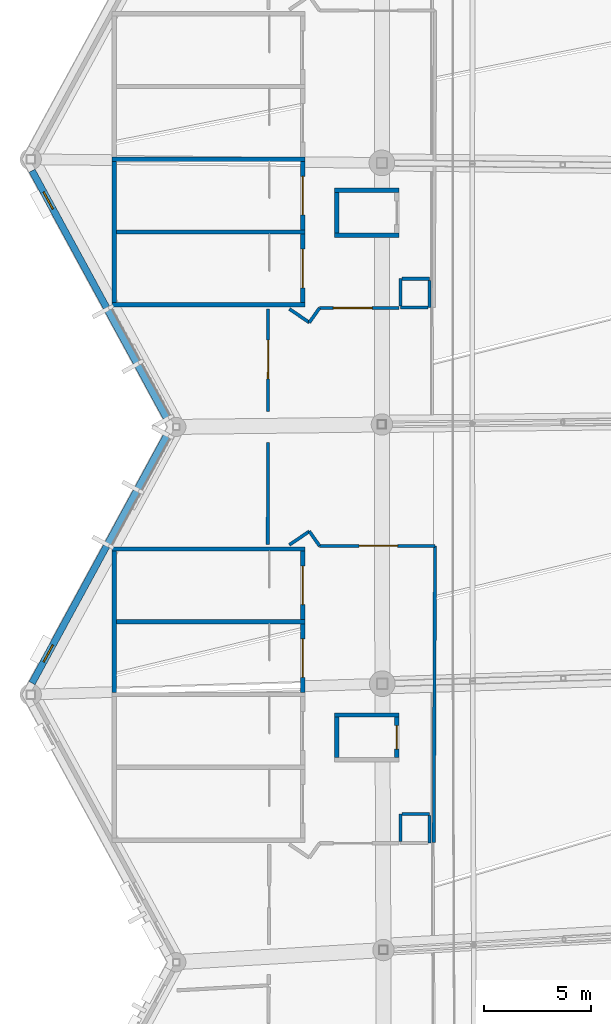
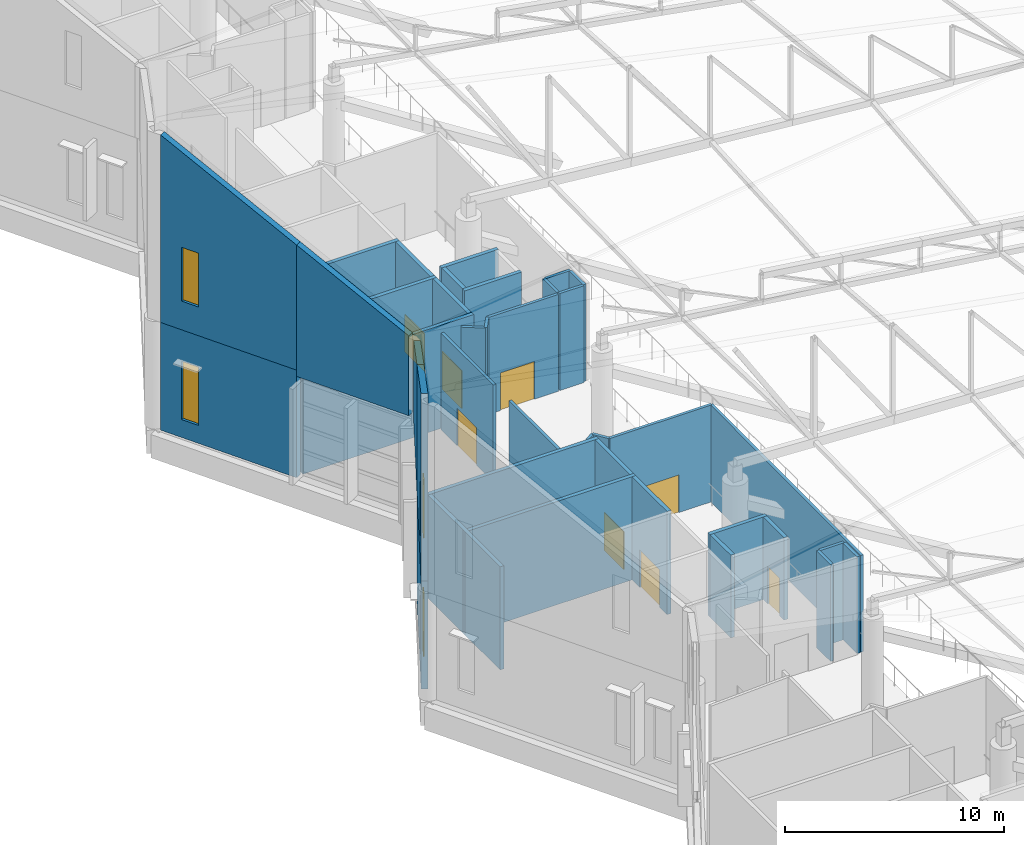
# One storey, part 251 of 344: 39 walls, 8 doors, 4 windows, 12 openings.
"""IFC4 building model written with IfcOpenShell, lengths in metres."""

from ifc_helpers import new_model, si_unit, direction, frame, frame_2d, origin, place, context, subcontext, project, spatial, polyline, rectangle, outline, extrude, material, layer, layer_set, type_object, element, fill, save


model = new_model("IFC4")

# Units and contexts
model_context = context("Model", 3, precision=1e-05, world=origin(), true_north=direction((0.0, 1.0)))
body_context = subcontext(model_context, "Body", "Model", "MODEL_VIEW")
ifc_project = project(units=[si_unit("LENGTHUNIT", "METRE"), si_unit("AREAUNIT", "SQUARE_METRE"), si_unit("VOLUMEUNIT", "CUBIC_METRE"), si_unit("PLANEANGLEUNIT", "RADIAN"), si_unit("MASSUNIT", "GRAM", prefix="KILO")], contexts=[model_context])

# Site, building, storey
site_placement = place(None, origin())
site = spatial("IfcSite", under=ifc_project, at=site_placement, CompositionType="ELEMENT")
building_placement = place(site_placement, origin())
building = spatial("IfcBuilding", under=site, at=building_placement, Name="Meseta Stadium", CompositionType="ELEMENT")
storey_placement = place(building_placement, frame((0.0, 0.0, 24.0)))
storey = spatial("IfcBuildingStorey", under=building, at=storey_placement, Name="L04", CompositionType="ELEMENT", Elevation=24.0)

# Walls
ifc_material_1 = material(Name="Concrete C40/50", Category="concrete")
ifc_layer_1 = layer(ifc_material_1, 0.199951171875)
ifc_layer_set_1 = layer_set([ifc_layer_1], Name="Core divider wall 200")
wall_type_1 = type_object("IfcWallType", Name="Core divider wall 200", PredefinedType="SHEAR", material=ifc_layer_set_1)
for number, where, z_axis, x_axis, name in (
    (1, (-97.60009765625, 2.85009765625, 0.0), (0.0, 0.0, 1.0), (1.0, 0.0, 0.0), "Core 17 L04 stair B divider wall"),
    (2, (-97.60009765625, -15.35009765625, 0.0), (0.0, 0.0, 1.0), (1.0, 0.0, 0.0), "Core 18 L04 stair A divider wall"),
):
    element("IfcWall", number, at=place(storey_placement, frame(where, z_axis=z_axis, x_axis=x_axis)), inside=storey, type_object=wall_type_1, Name=name, PredefinedType="SHEAR", context=body_context, shape_type="SweptSolid", body=[
        extrude(rectangle(XDim=9.0, YDim=0.199951171875, at=frame_2d((4.5, 0.0))), origin(), (0.0, 0.0, 1.0), 5.75),
    ])
ifc_material_2 = material(Name="Concrete C40/50", Category="concrete")
ifc_layer_2 = layer(ifc_material_2, 0.199951171875)
ifc_layer_set_2 = layer_set([ifc_layer_2], Name="Core shaft wall 200")
wall_type_2 = type_object("IfcWallType", Name="Core shaft wall 200", PredefinedType="SHEAR", material=ifc_layer_set_2)
for number, where, z_axis, x_axis, name in (
    (3, (-97.60009765625, 6.25, 0.0), (0.0, 0.0, 1.0), (1.0, 0.0, 0.0), "Core 17 L04 stair wall shared"),
    (4, (-97.60009765625, -0.550048828125, 0.0), (0.0, 0.0, 1.0), (1.0, 0.0, 0.0), "Core 17 L04 stair wall B-side"),
):
    element("IfcWall", number, at=place(storey_placement, frame(where, z_axis=z_axis, x_axis=x_axis)), inside=storey, type_object=wall_type_2, Name=name, PredefinedType="SHEAR", context=body_context, shape_type="SweptSolid", body=[
        extrude(rectangle(XDim=9.0, YDim=0.199951171875, at=frame_2d((4.5, 0.0))), origin(), (0.0, 0.0, 1.0), 5.75),
    ])
wall_1_placement = place(storey_placement, frame((-97.5, 6.14990234375, 0.0), z_axis=(0.0, 0.0, 1.0), x_axis=(0.0, -1.0, 0.0)))
element("IfcWall", 5, at=wall_1_placement, inside=storey, type_object=wall_type_2, Name="Core 17 L04 stair B outer end wall", PredefinedType="SHEAR", context=body_context, shape_type="SweptSolid", body=[
    extrude(rectangle(XDim=6.599853515625, YDim=0.199951171875, at=frame_2d((3.2998046875, 0.0))), origin(), (0.0, 0.0, 1.0), 5.75),
])

# Wall, opening, door
wall_2_placement = place(storey_placement, frame((-88.699951171875, 6.14990234375, 0.0), z_axis=(0.0, 0.0, 1.0), x_axis=(0.0, -1.0, 0.0)))
wall_2 = element("IfcWall", 6, at=wall_2_placement, inside=storey, type_object=wall_type_2, Name="Core 17 L04 stair B1 inner end wall", PredefinedType="SHEAR", context=body_context, shape_type="SweptSolid", body=[
    extrude(rectangle(XDim=3.199951171875, YDim=0.199951171875, at=frame_2d((1.60009765625, 0.0))), origin(), (0.0, 0.0, 1.0), 5.75),
])
opening_1_placement = place(wall_2_placement, frame((0.699951171875, 0.0, 0.0)))
opening_1 = element("IfcOpeningElement", 7, at=opening_1_placement, cuts=wall_2, Name="Opening D1507", PredefinedType="OPENING", context=body_context, shape_type="SweptSolid", body=[
    extrude(rectangle(XDim=1.800048828125, YDim=2.10009765625, at=frame_2d((0.89990234375, 1.050048828125))), frame((0.0, 0.10986328125, 0.0), z_axis=(0.0, -1.0, 0.0), x_axis=(1.0, 0.0, 0.0)), (0.0, 0.0, 1.0), 0.219970703125),
])
ifc_material_3 = material(Name="Steel", Category="steel")
door_type_1 = type_object("IfcDoorType", Name="Stair door 1800x2100", OperationType="DOUBLE_DOOR_SINGLE_SWING", PredefinedType="DOOR", material=ifc_material_3)
door_1_placement = place(opening_1_placement, origin())
door_1 = element("IfcDoor", 8, at=door_1_placement, inside=storey, type_object=door_type_1, Name="Stair B1 door 17 L04", OperationType="DOUBLE_DOOR_SINGLE_SWING", OverallHeight=2.10009765625, OverallWidth=1.800048828125, PredefinedType="DOOR", context=body_context, shape_type="SweptSolid", body=[
    extrude(rectangle(XDim=1.800048828125, YDim=2.10009765625, at=frame_2d((0.89990234375, 1.050048828125))), frame((0.0, 0.02490234375, 0.0), z_axis=(0.0, -1.0, 0.0), x_axis=(1.0, 0.0, 0.0)), (0.0, 0.0, 1.0), 0.050048828125),
])
fill(opening_1, door_1)

wall_3_placement = place(storey_placement, frame((-88.699951171875, 2.75, 0.0), z_axis=(0.0, 0.0, 1.0), x_axis=(0.0, -1.0, 0.0)))
wall_3 = element("IfcWall", 9, at=wall_3_placement, inside=storey, type_object=wall_type_2, Name="Core 17 L04 stair B2 inner end wall", PredefinedType="SHEAR", context=body_context, shape_type="SweptSolid", body=[
    extrude(rectangle(XDim=3.199951171875, YDim=0.199951171875, at=frame_2d((1.60009765625, 0.0))), origin(), (0.0, 0.0, 1.0), 5.75),
])
opening_2_placement = place(wall_3_placement, frame((0.699951171875, 0.0, 0.0)))
opening_2 = element("IfcOpeningElement", 10, at=opening_2_placement, cuts=wall_3, Name="Opening D1506", PredefinedType="OPENING", context=body_context, shape_type="SweptSolid", body=[
    extrude(rectangle(XDim=1.800048828125, YDim=2.10009765625, at=frame_2d((0.89990234375, 1.050048828125))), frame((0.0, 0.10986328125, 0.0), z_axis=(0.0, -1.0, 0.0), x_axis=(1.0, 0.0, 0.0)), (0.0, 0.0, 1.0), 0.219970703125),
])
door_2_placement = place(opening_2_placement, origin())
door_2 = element("IfcDoor", 11, at=door_2_placement, inside=storey, type_object=door_type_1, Name="Stair B2 door 17 L04", OperationType="DOUBLE_DOOR_SINGLE_SWING", OverallHeight=2.10009765625, OverallWidth=1.800048828125, PredefinedType="DOOR", context=body_context, shape_type="SweptSolid", body=[
    extrude(rectangle(XDim=1.800048828125, YDim=2.10009765625, at=frame_2d((0.89990234375, 1.050048828125))), frame((0.0, 0.02490234375, 0.0), z_axis=(0.0, -1.0, 0.0), x_axis=(1.0, 0.0, 0.0)), (0.0, 0.0, 1.0), 0.050048828125),
])
fill(opening_2, door_2)

# Walls
for number, where, z_axis, x_axis, name in (
    (12, (-87.199951171875, 4.800048828125, 0.0), (0.0, 0.0, 1.0), (1.0, 0.0, 0.0), "Core 17 L04 lift shaft wall left"),
    (13, (-87.199951171875, 2.699951171875, 0.0), (0.0, 0.0, 1.0), (1.0, 0.0, 0.0), "Core 17 L04 lift shaft wall right"),
):
    element("IfcWall", number, at=place(storey_placement, frame(where, z_axis=z_axis, x_axis=x_axis)), inside=storey, type_object=wall_type_2, Name=name, PredefinedType="SHEAR", context=body_context, shape_type="SweptSolid", body=[
        extrude(rectangle(XDim=3.0, YDim=0.199951171875, at=frame_2d((1.5, 0.0))), origin(), (0.0, 0.0, 1.0), 4.60009765625),
    ])
wall_4_placement = place(storey_placement, frame((-87.10009765625, 4.699951171875, 0.0), z_axis=(0.0, 0.0, 1.0), x_axis=(0.0, -1.0, 0.0)))
element("IfcWall", 14, at=wall_4_placement, inside=storey, type_object=wall_type_2, Name="Core 17 L04 lift shaft back wall", PredefinedType="SHEAR", context=body_context, shape_type="SweptSolid", body=[
    extrude(rectangle(XDim=1.89990234375, YDim=0.199951171875, at=frame_2d((0.949951171875, 0.0))), origin(), (0.0, 0.0, 1.0), 4.60009765625),
])
wall_5_placement = place(storey_placement, frame((-97.60009765625, -11.949951171875, 0.0), z_axis=(0.0, 0.0, 1.0), x_axis=(1.0, 0.0, 0.0)))
element("IfcWall", 15, at=wall_5_placement, inside=storey, type_object=wall_type_2, Name="Core 18 L04 stair wall A-side", PredefinedType="SHEAR", context=body_context, shape_type="SweptSolid", body=[
    extrude(rectangle(XDim=9.0, YDim=0.199951171875, at=frame_2d((4.5, 0.0))), origin(), (0.0, 0.0, 1.0), 5.75),
])
wall_6_placement = place(storey_placement, frame((-97.5, -12.050048828125, 0.0), z_axis=(0.0, 0.0, 1.0), x_axis=(0.0, -1.0, 0.0)))
element("IfcWall", 16, at=wall_6_placement, inside=storey, type_object=wall_type_2, Name="Core 18 L04 stair A outer end wall", PredefinedType="SHEAR", context=body_context, shape_type="SweptSolid", body=[
    extrude(rectangle(XDim=6.599853515625, YDim=0.199951171875, at=frame_2d((3.2998046875, 0.0))), origin(), (0.0, 0.0, 1.0), 5.75),
])

# Wall, opening, door
wall_7_placement = place(storey_placement, frame((-88.699951171875, -12.050048828125, 0.0), z_axis=(0.0, 0.0, 1.0), x_axis=(0.0, -1.0, 0.0)))
wall_7 = element("IfcWall", 17, at=wall_7_placement, inside=storey, type_object=wall_type_2, Name="Core 18 L04 stair A1 inner end wall", PredefinedType="SHEAR", context=body_context, shape_type="SweptSolid", body=[
    extrude(rectangle(XDim=3.199951171875, YDim=0.199951171875, at=frame_2d((1.60009765625, 0.0))), origin(), (0.0, 0.0, 1.0), 5.75),
])
opening_3_placement = place(wall_7_placement, frame((0.699951171875, 0.0, 0.0)))
opening_3 = element("IfcOpeningElement", 18, at=opening_3_placement, cuts=wall_7, Name="Opening D1505", PredefinedType="OPENING", context=body_context, shape_type="SweptSolid", body=[
    extrude(rectangle(XDim=1.800048828125, YDim=2.10009765625, at=frame_2d((0.89990234375, 1.050048828125))), frame((0.0, 0.10986328125, 0.0), z_axis=(0.0, -1.0, 0.0), x_axis=(1.0, 0.0, 0.0)), (0.0, 0.0, 1.0), 0.219970703125),
])
door_3_placement = place(opening_3_placement, origin())
door_3 = element("IfcDoor", 19, at=door_3_placement, inside=storey, type_object=door_type_1, Name="Stair A1 door 18 L04", OperationType="DOUBLE_DOOR_SINGLE_SWING", OverallHeight=2.10009765625, OverallWidth=1.800048828125, PredefinedType="DOOR", context=body_context, shape_type="SweptSolid", body=[
    extrude(rectangle(XDim=1.800048828125, YDim=2.10009765625, at=frame_2d((0.89990234375, 1.050048828125))), frame((0.0, 0.02490234375, 0.0), z_axis=(0.0, -1.0, 0.0), x_axis=(1.0, 0.0, 0.0)), (0.0, 0.0, 1.0), 0.050048828125),
])
fill(opening_3, door_3)

wall_8_placement = place(storey_placement, frame((-88.699951171875, -15.449951171875, 0.0), z_axis=(0.0, 0.0, 1.0), x_axis=(0.0, -1.0, 0.0)))
wall_8 = element("IfcWall", 20, at=wall_8_placement, inside=storey, type_object=wall_type_2, Name="Core 18 L04 stair A2 inner end wall", PredefinedType="SHEAR", context=body_context, shape_type="SweptSolid", body=[
    extrude(rectangle(XDim=3.199951171875, YDim=0.199951171875, at=frame_2d((1.60009765625, 0.0))), origin(), (0.0, 0.0, 1.0), 5.75),
])
opening_4_placement = place(wall_8_placement, frame((0.699951171875, 0.0, 0.0)))
opening_4 = element("IfcOpeningElement", 21, at=opening_4_placement, cuts=wall_8, Name="Opening D1504", PredefinedType="OPENING", context=body_context, shape_type="SweptSolid", body=[
    extrude(rectangle(XDim=1.800048828125, YDim=2.10009765625, at=frame_2d((0.89990234375, 1.050048828125))), frame((0.0, 0.10986328125, 0.0), z_axis=(0.0, -1.0, 0.0), x_axis=(1.0, 0.0, 0.0)), (0.0, 0.0, 1.0), 0.219970703125),
])
door_4_placement = place(opening_4_placement, origin())
door_4 = element("IfcDoor", 22, at=door_4_placement, inside=storey, type_object=door_type_1, Name="Stair A2 door 18 L04", OperationType="DOUBLE_DOOR_SINGLE_SWING", OverallHeight=2.10009765625, OverallWidth=1.800048828125, PredefinedType="DOOR", context=body_context, shape_type="SweptSolid", body=[
    extrude(rectangle(XDim=1.800048828125, YDim=2.10009765625, at=frame_2d((0.89990234375, 1.050048828125))), frame((0.0, 0.02490234375, 0.0), z_axis=(0.0, -1.0, 0.0), x_axis=(1.0, 0.0, 0.0)), (0.0, 0.0, 1.0), 0.050048828125),
])
fill(opening_4, door_4)

# Walls
wall_9_placement = place(storey_placement, frame((-87.199951171875, -19.699951171875, 0.0), z_axis=(0.0, 0.0, 1.0), x_axis=(1.0, 0.0, 0.0)))
element("IfcWall", 23, at=wall_9_placement, inside=storey, type_object=wall_type_2, Name="Core 18 L04 lift shaft wall left", PredefinedType="SHEAR", context=body_context, shape_type="SweptSolid", body=[
    extrude(rectangle(XDim=3.0, YDim=0.199951171875, at=frame_2d((1.5, 0.0))), origin(), (0.0, 0.0, 1.0), 4.60009765625),
])
wall_10_placement = place(storey_placement, frame((-87.10009765625, -19.800048828125, 0.0), z_axis=(0.0, 0.0, 1.0), x_axis=(0.0, -1.0, 0.0)))
element("IfcWall", 24, at=wall_10_placement, inside=storey, type_object=wall_type_2, Name="Core 18 L04 lift shaft back wall", PredefinedType="SHEAR", context=body_context, shape_type="SweptSolid", body=[
    extrude(rectangle(XDim=1.89990234375, YDim=0.199951171875, at=frame_2d((0.949951171875, 0.0))), origin(), (0.0, 0.0, 1.0), 4.60009765625),
])

# Wall, opening, door
wall_11_placement = place(storey_placement, frame((-84.300048828125, -19.800048828125, 0.0), z_axis=(0.0, 0.0, 1.0), x_axis=(0.0, -1.0, 0.0)))
wall_11 = element("IfcWall", 25, at=wall_11_placement, inside=storey, type_object=wall_type_2, Name="Core 18 L04 lift shaft front wall", PredefinedType="SHEAR", context=body_context, shape_type="SweptSolid", body=[
    extrude(rectangle(XDim=1.89990234375, YDim=0.199951171875, at=frame_2d((0.949951171875, 0.0))), origin(), (0.0, 0.0, 1.0), 4.60009765625),
])
opening_5_placement = place(wall_11_placement, frame((0.39990234375, 0.0, 0.0)))
opening_5 = element("IfcOpeningElement", 26, at=opening_5_placement, cuts=wall_11, Name="Opening LD102", PredefinedType="OPENING", context=body_context, shape_type="SweptSolid", body=[
    extrude(rectangle(XDim=1.10009765625, YDim=2.10009765625, at=frame_2d((0.550048828125, 1.050048828125))), frame((0.0, 0.10986328125, 0.0), z_axis=(0.0, -1.0, 0.0), x_axis=(1.0, 0.0, 0.0)), (0.0, 0.0, 1.0), 0.219970703125),
])
ifc_material_4 = material(Name="Steel", Category="steel")
door_type_2 = type_object("IfcDoorType", Name="Lift landing door 1100x2100", OperationType="SLIDING_TO_LEFT", PredefinedType="DOOR", material=ifc_material_4)
door_5_placement = place(opening_5_placement, origin())
door_5 = element("IfcDoor", 27, at=door_5_placement, inside=storey, type_object=door_type_2, Name="Lift landing door LD102", OperationType="SLIDING_TO_RIGHT", OverallHeight=2.10009765625, OverallWidth=1.10009765625, PredefinedType="DOOR", context=body_context, shape_type="SweptSolid", body=[
    extrude(rectangle(XDim=1.10009765625, YDim=2.10009765625, at=frame_2d((0.550048828125, 1.050048828125))), frame((0.0, 0.02490234375, 0.0), z_axis=(0.0, -1.0, 0.0), x_axis=(1.0, 0.0, 0.0)), (0.0, 0.0, 1.0), 0.050048828125),
])
fill(opening_5, door_5)

ifc_material_5 = material(Name="Masonry blockwork", Category="masonry")
ifc_layer_3 = layer(ifc_material_5, 0.14990234375)
ifc_layer_set_3 = layer_set([ifc_layer_3], Name="Partition 150")
wall_type_3 = type_object("IfcWallType", Name="Partition 150", PredefinedType="PARTITIONING", material=ifc_layer_set_3)
wall_12_placement = place(storey_placement, frame((-90.3115234375, -0.75, 0.0), z_axis=(0.0, 0.0, 1.0), x_axis=(-0.001276160268, -0.999999185707, 0.0)))
wall_12 = element("IfcWall", 28, at=wall_12_placement, inside=storey, type_object=wall_type_3, Name="Partition L04 L04-cell16-1-0", PredefinedType="PARTITIONING", context=body_context, shape_type="SweptSolid", body=[
    extrude(rectangle(XDim=4.78271484375, YDim=0.14990234375, at=frame_2d((2.391357421875, 0.0))), origin(), (0.0, 0.0, 1.0), 5.39990234375),
])
opening_6_placement = place(wall_12_placement, frame((1.449951171875, 0.0, 0.0)))
opening_6 = element("IfcOpeningElement", 29, at=opening_6_placement, cuts=wall_12, Name="Opening D1499", PredefinedType="OPENING", context=body_context, shape_type="SweptSolid", body=[
    extrude(rectangle(XDim=1.800048828125, YDim=2.10009765625, at=frame_2d((0.89990234375, 1.050048828125))), frame((0.0, 0.0849609375, 0.0), z_axis=(0.0, -1.0, 0.0), x_axis=(1.0, 0.0, 0.0)), (0.0, 0.0, 1.0), 0.169921875),
])
ifc_material_6 = material(Name="Timber", Category="wood")
door_type_3 = type_object("IfcDoorType", Name="Room double door 1800x2100", OperationType="DOUBLE_DOOR_SINGLE_SWING", PredefinedType="DOOR", material=ifc_material_6)
door_6_placement = place(opening_6_placement, origin())
door_6 = element("IfcDoor", 30, at=door_6_placement, inside=storey, type_object=door_type_3, Name="Room door L04 L04-cell16-1-0", OperationType="DOUBLE_DOOR_SINGLE_SWING", OverallHeight=2.10009765625, OverallWidth=1.800048828125, PredefinedType="DOOR", context=body_context, shape_type="SweptSolid", body=[
    extrude(rectangle(XDim=1.800048828125, YDim=2.10009765625, at=frame_2d((0.89990234375, 1.050048828125))), frame((0.0, 0.02490234375, 0.0), z_axis=(0.0, -1.0, 0.0), x_axis=(1.0, 0.0, 0.0)), (0.0, 0.0, 1.0), 0.050048828125),
])
fill(opening_6, door_6)

# Walls
wall_13_placement = place(storey_placement, frame((-90.319580078125, -6.96728515625, 0.0), z_axis=(0.0, 0.0, 1.0), x_axis=(-0.001225113935, -0.999999249548, 0.0)))
element("IfcWall", 31, at=wall_13_placement, inside=storey, type_object=wall_type_3, Name="Partition L04 L04-cell16-1-0", PredefinedType="PARTITIONING", context=body_context, shape_type="SweptSolid", body=[
    extrude(rectangle(XDim=4.78271484375, YDim=0.14990234375, at=frame_2d((2.391357421875, 0.0))), origin(), (0.0, 0.0, 1.0), 5.39990234375),
])
wall_14_placement = place(storey_placement, frame((-84.125, 0.675048828125, 0.0), z_axis=(0.0, 0.0, 1.0), x_axis=(0.0, -1.0, 0.0)))
element("IfcWall", 32, at=wall_14_placement, inside=storey, type_object=wall_type_3, Name="Pressurisation shaft wall L04 core 17", PredefinedType="PARTITIONING", context=body_context, shape_type="SweptSolid", body=[
    extrude(rectangle(XDim=1.275146484375, YDim=0.14990234375, at=frame_2d((0.6376953125, 0.0))), origin(), (0.0, 0.0, 1.0), 5.39990234375),
])
wall_15_placement = place(storey_placement, frame((-84.125, -0.675048828125, 0.0), z_axis=(0.0, 0.0, 1.0), x_axis=(1.0, 0.0, 0.0)))
element("IfcWall", 33, at=wall_15_placement, inside=storey, type_object=wall_type_3, Name="Pressurisation shaft wall L04 core 17", PredefinedType="PARTITIONING", context=body_context, shape_type="SweptSolid", body=[
    extrude(rectangle(XDim=1.27490234375, YDim=0.14990234375, at=frame_2d((0.637451171875, 0.0))), origin(), (0.0, 0.0, 1.0), 5.39990234375),
])
for number, where, z_axis, x_axis, name in (
    (34, (-82.77490234375, -0.675048828125, 0.0), (0.0, 0.0, 1.0), (0.0, 1.0, 0.0), "Pressurisation shaft wall L04 core 17"),
    (35, (-82.77490234375, 0.675048828125, 0.0), (0.0, 0.0, 1.0), (-1.0, 0.0, 0.0), "Pressurisation shaft wall L04 core 17"),
):
    element("IfcWall", number, at=place(storey_placement, frame(where, z_axis=z_axis, x_axis=x_axis)), inside=storey, type_object=wall_type_3, Name=name, PredefinedType="PARTITIONING", context=body_context, shape_type="SweptSolid", body=[
        extrude(rectangle(XDim=1.275146484375, YDim=0.14990234375, at=frame_2d((0.6376953125, 0.0))), origin(), (0.0, 0.0, 1.0), 5.39990234375),
    ])
wall_16_placement = place(storey_placement, frame((-89.319580078125, -0.739501953125, 0.0), z_axis=(0.0, 0.0, 1.0), x_axis=(0.827055308354, -0.562120553728, 0.0)))
element("IfcWall", 36, at=wall_16_placement, inside=storey, type_object=wall_type_3, Name="Stair vestibule wall L04 core 17", PredefinedType="PARTITIONING", context=body_context, shape_type="SweptSolid", body=[
    extrude(rectangle(XDim=1.1279296875, YDim=0.14990234375, at=frame_2d((0.56396484375, 0.0))), origin(), (0.0, 0.0, 1.0), 5.39990234375),
])
wall_17_placement = place(storey_placement, frame((-88.38671875, -1.37353515625, 0.0), z_axis=(0.0, 0.0, 1.0), x_axis=(0.575376756214, 0.817888493872, 0.0)))
element("IfcWall", 37, at=wall_17_placement, inside=storey, type_object=wall_type_3, Name="Stair vestibule wall L04 core 17", PredefinedType="PARTITIONING", context=body_context, shape_type="SweptSolid", body=[
    extrude(rectangle(XDim=0.82958984375, YDim=0.14990234375, at=frame_2d((0.414794921875, 0.0))), origin(), (0.0, 0.0, 1.0), 5.39990234375),
])

# Wall, opening, door
wall_18_placement = place(storey_placement, frame((-87.909423828125, -0.695068359375, 0.0), z_axis=(0.0, 0.0, 1.0), x_axis=(1.0, 0.0, 0.0)))
wall_18 = element("IfcWall", 38, at=wall_18_placement, inside=storey, type_object=wall_type_3, Name="Stair vestibule wall L04 core 17", PredefinedType="PARTITIONING", context=body_context, shape_type="SweptSolid", body=[
    extrude(rectangle(XDim=3.70361328125, YDim=0.14990234375, at=frame_2d((1.851806640625, 0.0))), origin(), (0.0, 0.0, 1.0), 5.39990234375),
])
opening_7_placement = place(wall_18_placement, frame((0.64990234375, 0.0, 0.0)))
opening_7 = element("IfcOpeningElement", 39, at=opening_7_placement, cuts=wall_18, Name="Opening D1525", PredefinedType="OPENING", context=body_context, shape_type="SweptSolid", body=[
    extrude(rectangle(XDim=1.800048828125, YDim=2.10009765625, at=frame_2d((0.89990234375, 1.050048828125))), frame((0.0, 0.0849609375, 0.0), z_axis=(0.0, -1.0, 0.0), x_axis=(1.0, 0.0, 0.0)), (0.0, 0.0, 1.0), 0.169921875),
])
ifc_material_7 = material(Name="Steel", Category="steel")
door_type_4 = type_object("IfcDoorType", Name="Fire double door 1800x2100 EI2 60", OperationType="DOUBLE_DOOR_SINGLE_SWING", PredefinedType="DOOR", material=ifc_material_7)
door_7_placement = place(opening_7_placement, origin())
door_7 = element("IfcDoor", 40, at=door_7_placement, inside=storey, type_object=door_type_4, Name="Stair vestibule door L04 core 17", OperationType="DOUBLE_DOOR_SINGLE_SWING", OverallHeight=2.10009765625, OverallWidth=1.800048828125, PredefinedType="DOOR", context=body_context, shape_type="SweptSolid", body=[
    extrude(rectangle(XDim=1.800048828125, YDim=2.10009765625, at=frame_2d((0.89990234375, 1.050048828125))), frame((0.0, 0.02490234375, 0.0), z_axis=(0.0, -1.0, 0.0), x_axis=(1.0, 0.0, 0.0)), (0.0, 0.0, 1.0), 0.050048828125),
])
fill(opening_7, door_7)

# Walls
for number, where, z_axis, x_axis, name in (
    (41, (-84.125, -24.324951171875, 0.0), (0.0, 0.0, 1.0), (0.0, -1.0, 0.0), "Pressurisation shaft wall L04 core 18"),
    (42, (-82.77490234375, -25.675048828125, 0.0), (0.0, 0.0, 1.0), (0.0, 1.0, 0.0), "Pressurisation shaft wall L04 core 18"),
    (43, (-82.77490234375, -24.324951171875, 0.0), (0.0, 0.0, 1.0), (-1.0, 0.0, 0.0), "Pressurisation shaft wall L04 core 18"),
):
    element("IfcWall", number, at=place(storey_placement, frame(where, z_axis=z_axis, x_axis=x_axis)), inside=storey, type_object=wall_type_3, Name=name, PredefinedType="PARTITIONING", context=body_context, shape_type="SweptSolid", body=[
        extrude(rectangle(XDim=1.275146484375, YDim=0.14990234375, at=frame_2d((0.6376953125, 0.0))), origin(), (0.0, 0.0, 1.0), 5.39990234375),
    ])
wall_19_placement = place(storey_placement, frame((-82.5751953125, -25.660400390625, 0.0), z_axis=(0.0, 0.0, 1.0), x_axis=(0.004334608277, 0.999990605541, 0.0)))
element("IfcWall", 44, at=wall_19_placement, inside=storey, type_object=wall_type_3, Name="Stair vestibule wall L04 core 18", PredefinedType="PARTITIONING", context=body_context, shape_type="SweptSolid", body=[
    extrude(rectangle(XDim=13.855712890625, YDim=0.14990234375, at=frame_2d((6.927734375, 0.0))), origin(), (0.0, 0.0, 1.0), 5.39990234375),
])

# Wall, opening, door
wall_20_placement = place(storey_placement, frame((-82.51513671875, -11.804931640625, 0.0), z_axis=(0.0, 0.0, 1.0), x_axis=(-1.0, 0.0, 0.0)))
wall_20 = element("IfcWall", 45, at=wall_20_placement, inside=storey, type_object=wall_type_3, Name="Stair vestibule wall L04 core 18", PredefinedType="PARTITIONING", context=body_context, shape_type="SweptSolid", body=[
    extrude(rectangle(XDim=5.39404296875, YDim=0.14990234375, at=frame_2d((2.697021484375, 0.0))), origin(), (0.0, 0.0, 1.0), 5.39990234375),
])
opening_8_placement = place(wall_20_placement, frame((1.75, 0.0, 0.0)))
opening_8 = element("IfcOpeningElement", 46, at=opening_8_placement, cuts=wall_20, Name="Opening D1532", PredefinedType="OPENING", context=body_context, shape_type="SweptSolid", body=[
    extrude(rectangle(XDim=1.800048828125, YDim=2.10009765625, at=frame_2d((0.89990234375, 1.050048828125))), frame((0.0, 0.0849609375, 0.0), z_axis=(0.0, -1.0, 0.0), x_axis=(1.0, 0.0, 0.0)), (0.0, 0.0, 1.0), 0.169921875),
])
door_8_placement = place(opening_8_placement, origin())
door_8 = element("IfcDoor", 47, at=door_8_placement, inside=storey, type_object=door_type_4, Name="Stair vestibule door L04 core 18", OperationType="DOUBLE_DOOR_SINGLE_SWING", OverallHeight=2.10009765625, OverallWidth=1.800048828125, PredefinedType="DOOR", context=body_context, shape_type="SweptSolid", body=[
    extrude(rectangle(XDim=1.800048828125, YDim=2.10009765625, at=frame_2d((0.89990234375, 1.050048828125))), frame((0.0, 0.02490234375, 0.0), z_axis=(0.0, -1.0, 0.0), x_axis=(1.0, 0.0, 0.0)), (0.0, 0.0, 1.0), 0.050048828125),
])
fill(opening_8, door_8)

# Walls
wall_21_placement = place(storey_placement, frame((-87.9091796875, -11.804931640625, 0.0), z_axis=(0.0, 0.0, 1.0), x_axis=(-0.575573582652, 0.81774999294, 0.0)))
element("IfcWall", 48, at=wall_21_placement, inside=storey, type_object=wall_type_3, Name="Stair vestibule wall L04 core 18", PredefinedType="PARTITIONING", context=body_context, shape_type="SweptSolid", body=[
    extrude(rectangle(XDim=0.82958984375, YDim=0.14990234375, at=frame_2d((0.414794921875, 0.0))), origin(), (0.0, 0.0, 1.0), 5.39990234375),
])
wall_22_placement = place(storey_placement, frame((-88.38671875, -11.12646484375, 0.0), z_axis=(0.0, 0.0, 1.0), x_axis=(-0.827055308354, -0.562120553728, 0.0)))
element("IfcWall", 49, at=wall_22_placement, inside=storey, type_object=wall_type_3, Name="Stair vestibule wall L04 core 18", PredefinedType="PARTITIONING", context=body_context, shape_type="SweptSolid", body=[
    extrude(rectangle(XDim=1.1279296875, YDim=0.14990234375, at=frame_2d((0.56396484375, 0.0))), origin(), (0.0, 0.0, 1.0), 5.39990234375),
])

# Wall, opening, window
ifc_material_8 = material(Name="White precast concrete C40/50", Category="concrete")
ifc_layer_4 = layer(ifc_material_8, 0.320068359375)
ifc_layer_set_4 = layer_set([ifc_layer_4], Name="Pleated fascia panel 320 raked")
wall_type_4 = type_object("IfcWallType", Name="Pleated fascia panel 320 raked", PredefinedType="SOLIDWALL", material=ifc_layer_set_4)
wall_23_placement = place(storey_placement, frame((-97.85791015625, -0.679931640625, 6.0), z_axis=(0.0, 0.0, 1.0), x_axis=(-0.477865020076, 0.878433277255, 0.0)))
wall_23 = element("IfcWall", 50, at=wall_23_placement, inside=storey, type_object=wall_type_4, Name="Pleated fascia panel L04 F32", PredefinedType="SOLIDWALL", context=body_context, shape_type="SweptSolid", body=[
    extrude(outline(polyline([(0.0, 0.0), (7.2802734375, 0.0), (7.2802734375, 10.451171875), (0.0, 6.97216796875), (0.0, 0.0)])), frame((0.0, 0.16015625, 0.0), z_axis=(0.0, -1.0, 0.0), x_axis=(1.0, 0.0, 0.0)), (0.0, 0.0, 1.0), 0.320068359375),
])
opening_9_placement = place(wall_23_placement, frame((5.250244140625, 0.0, 1.60009765625)))
opening_9 = element("IfcOpeningElement", 51, at=opening_9_placement, cuts=wall_23, Name="Opening W185", PredefinedType="OPENING", context=body_context, shape_type="SweptSolid", body=[
    extrude(rectangle(XDim=0.89990234375, YDim=3.0, at=frame_2d((0.449951171875, 1.5))), frame((0.0, 0.169921875, 0.0), z_axis=(0.0, -1.0, 0.0), x_axis=(1.0, 0.0, 0.0)), (0.0, 0.0, 1.0), 0.340087890625),
])
ifc_material_9 = material(Name="Aluminium", Category="aluminium")
window_type_1 = type_object("IfcWindowType", Name="Slot window 900x3000", PartitioningType="SINGLE_PANEL", PredefinedType="WINDOW", material=ifc_material_9)
window_1_placement = place(opening_9_placement, origin())
window_1 = element("IfcWindow", 52, at=window_1_placement, inside=storey, type_object=window_type_1, Name="Slot window L04 F32.6", OverallHeight=3.0, OverallWidth=0.89990234375, PartitioningType="SINGLE_PANEL", PredefinedType="WINDOW", context=body_context, shape_type="SweptSolid", body=[
    extrude(rectangle(XDim=0.89990234375, YDim=3.0, at=frame_2d((0.449951171875, 1.5))), frame((0.0, 0.030029296875, 0.0), z_axis=(0.0, -1.0, 0.0), x_axis=(1.0, 0.0, 0.0)), (0.0, 0.0, 1.0), 0.06005859375),
])
fill(opening_9, window_1)

# Wall
wall_24_placement = place(storey_placement, frame((-94.99072265625, -5.950439453125, 5.64990234375), z_axis=(0.0, 0.0, 1.0), x_axis=(-0.477871109227, 0.878429964747, 0.0)))
element("IfcWall", 53, at=wall_24_placement, inside=storey, type_object=wall_type_4, Name="Pleated facade panel above atrium F32", PredefinedType="SOLIDWALL", context=body_context, shape_type="SweptSolid", body=[
    extrude(outline(polyline([(0.0, 0.0), (6.0, 0.0), (6.0, 7.322265625), (0.0, 4.455078125), (0.0, 0.0)])), frame((0.0, 0.16015625, 0.0), z_axis=(0.0, -1.0, 0.0), x_axis=(1.0, 0.0, 0.0)), (0.0, 0.0, 1.0), 0.320068359375),
])

# Wall, opening, window
wall_25_placement = place(storey_placement, frame((-101.3369140625, -18.21533203125, 6.0), z_axis=(0.0, 0.0, 1.0), x_axis=(0.477865020076, 0.878433277255, 0.0)))
wall_25 = element("IfcWall", 54, at=wall_25_placement, inside=storey, type_object=wall_type_4, Name="Pleated fascia panel L04 F33", PredefinedType="SOLIDWALL", context=body_context, shape_type="SweptSolid", body=[
    extrude(outline(polyline([(0.0, 0.0), (7.2802734375, 0.0), (7.2802734375, 6.97216796875), (0.0, 10.451171875), (0.0, 0.0)])), frame((0.0, 0.16015625, 0.0), z_axis=(0.0, -1.0, 0.0), x_axis=(1.0, 0.0, 0.0)), (0.0, 0.0, 1.0), 0.320068359375),
])
opening_10_placement = place(wall_25_placement, frame((1.130126953125, 0.0, 1.60009765625)))
opening_10 = element("IfcOpeningElement", 55, at=opening_10_placement, cuts=wall_25, Name="Opening W183", PredefinedType="OPENING", context=body_context, shape_type="SweptSolid", body=[
    extrude(rectangle(XDim=0.89990234375, YDim=3.0, at=frame_2d((0.449951171875, 1.5))), frame((0.0, 0.169921875, 0.0), z_axis=(0.0, -1.0, 0.0), x_axis=(1.0, 0.0, 0.0)), (0.0, 0.0, 1.0), 0.340087890625),
])
window_2_placement = place(opening_10_placement, origin())
window_2 = element("IfcWindow", 56, at=window_2_placement, inside=storey, type_object=window_type_1, Name="Slot window L04 F33.6", OverallHeight=3.0, OverallWidth=0.89990234375, PartitioningType="SINGLE_PANEL", PredefinedType="WINDOW", context=body_context, shape_type="SweptSolid", body=[
    extrude(rectangle(XDim=0.89990234375, YDim=3.0, at=frame_2d((0.449951171875, 1.5))), frame((0.0, 0.030029296875, 0.0), z_axis=(0.0, -1.0, 0.0), x_axis=(1.0, 0.0, 0.0)), (0.0, 0.0, 1.0), 0.06005859375),
])
fill(opening_10, window_2)

# Wall
wall_26_placement = place(storey_placement, frame((-97.85791015625, -11.820068359375, 5.64990234375), z_axis=(0.0, 0.0, 1.0), x_axis=(0.477871109227, 0.878429964747, 0.0)))
element("IfcWall", 57, at=wall_26_placement, inside=storey, type_object=wall_type_4, Name="Pleated facade panel above atrium F33", PredefinedType="SOLIDWALL", context=body_context, shape_type="SweptSolid", body=[
    extrude(outline(polyline([(0.0, 0.0), (6.0, 0.0), (6.0, 4.455078125), (0.0, 7.322265625), (0.0, 0.0)])), frame((0.0, 0.16015625, 0.0), z_axis=(0.0, -1.0, 0.0), x_axis=(1.0, 0.0, 0.0)), (0.0, 0.0, 1.0), 0.320068359375),
])

# Wall, opening, window
ifc_material_10 = material(Name="White precast concrete C40/50", Category="concrete")
ifc_layer_5 = layer(ifc_material_10, 0.320068359375)
ifc_layer_set_5 = layer_set([ifc_layer_5], Name="Pleated panel wall 320")
wall_type_5 = type_object("IfcWallType", Name="Pleated panel wall 320", PredefinedType="SOLIDWALL", material=ifc_layer_set_5)
wall_27_placement = place(storey_placement, frame((-97.85791015625, -0.679931640625, 0.0), z_axis=(0.0, 0.0, 1.0), x_axis=(-0.477865020076, 0.878433277255, 0.0)))
wall_27 = element("IfcWall", 58, at=wall_27_placement, inside=storey, type_object=wall_type_5, Name="Pleated facade panel L04 F32", PredefinedType="SOLIDWALL", context=body_context, shape_type="SweptSolid", body=[
    extrude(rectangle(XDim=7.2802734375, YDim=0.320068359375, at=frame_2d((3.64013671875, 0.0))), origin(), (0.0, 0.0, 1.0), 6.0),
])
opening_11_placement = place(wall_27_placement, frame((5.250244140625, 0.0, 1.0)))
opening_11 = element("IfcOpeningElement", 59, at=opening_11_placement, cuts=wall_27, Name="Opening W184", PredefinedType="OPENING", context=body_context, shape_type="SweptSolid", body=[
    extrude(rectangle(XDim=0.89990234375, YDim=3.25, at=frame_2d((0.449951171875, 1.625))), frame((0.0, 0.169921875, 0.0), z_axis=(0.0, -1.0, 0.0), x_axis=(1.0, 0.0, 0.0)), (0.0, 0.0, 1.0), 0.340087890625),
])
ifc_material_11 = material(Name="Aluminium", Category="aluminium")
window_type_2 = type_object("IfcWindowType", Name="Slot window 900x3250", PartitioningType="SINGLE_PANEL", PredefinedType="WINDOW", material=ifc_material_11)
window_3_placement = place(opening_11_placement, origin())
window_3 = element("IfcWindow", 60, at=window_3_placement, inside=storey, type_object=window_type_2, Name="Slot window L04 F32.6", OverallHeight=3.25, OverallWidth=0.89990234375, PartitioningType="SINGLE_PANEL", PredefinedType="WINDOW", context=body_context, shape_type="SweptSolid", body=[
    extrude(rectangle(XDim=0.89990234375, YDim=3.25, at=frame_2d((0.449951171875, 1.625))), frame((0.0, 0.030029296875, 0.0), z_axis=(0.0, -1.0, 0.0), x_axis=(1.0, 0.0, 0.0)), (0.0, 0.0, 1.0), 0.06005859375),
])
fill(opening_11, window_3)

wall_28_placement = place(storey_placement, frame((-101.3369140625, -18.21533203125, 0.0), z_axis=(0.0, 0.0, 1.0), x_axis=(0.477865020076, 0.878433277255, 0.0)))
wall_28 = element("IfcWall", 61, at=wall_28_placement, inside=storey, type_object=wall_type_5, Name="Pleated facade panel L04 F33", PredefinedType="SOLIDWALL", context=body_context, shape_type="SweptSolid", body=[
    extrude(rectangle(XDim=7.2802734375, YDim=0.320068359375, at=frame_2d((3.64013671875, 0.0))), origin(), (0.0, 0.0, 1.0), 6.0),
])
opening_12_placement = place(wall_28_placement, frame((1.130126953125, 0.0, 1.0)))
opening_12 = element("IfcOpeningElement", 62, at=opening_12_placement, cuts=wall_28, Name="Opening W182", PredefinedType="OPENING", context=body_context, shape_type="SweptSolid", body=[
    extrude(rectangle(XDim=0.89990234375, YDim=3.25, at=frame_2d((0.449951171875, 1.625))), frame((0.0, 0.169921875, 0.0), z_axis=(0.0, -1.0, 0.0), x_axis=(1.0, 0.0, 0.0)), (0.0, 0.0, 1.0), 0.340087890625),
])
window_4_placement = place(opening_12_placement, origin())
window_4 = element("IfcWindow", 63, at=window_4_placement, inside=storey, type_object=window_type_2, Name="Slot window L04 F33.6", OverallHeight=3.25, OverallWidth=0.89990234375, PartitioningType="SINGLE_PANEL", PredefinedType="WINDOW", context=body_context, shape_type="SweptSolid", body=[
    extrude(rectangle(XDim=0.89990234375, YDim=3.25, at=frame_2d((0.449951171875, 1.625))), frame((0.0, 0.030029296875, 0.0), z_axis=(0.0, -1.0, 0.0), x_axis=(1.0, 0.0, 0.0)), (0.0, 0.0, 1.0), 0.06005859375),
])
fill(opening_12, window_4)

save(model, "model.ifc")
